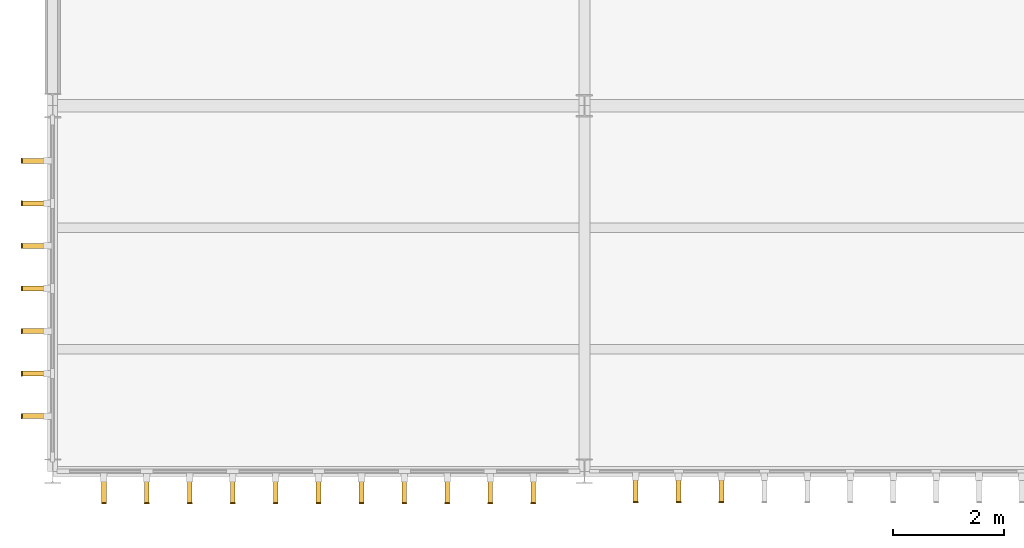
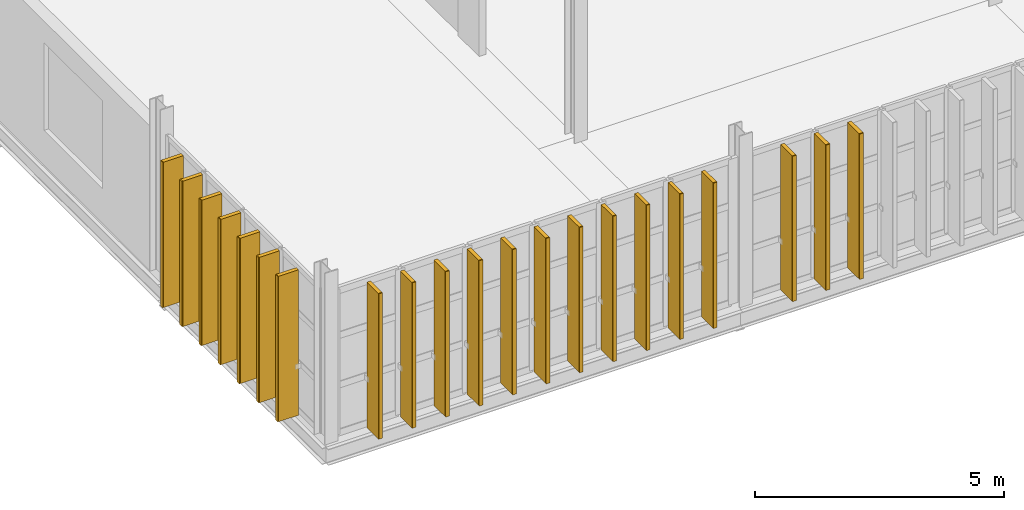
# One storey, part 24 of 38: 21 coverings, 21 shading devices.
"""IFC4 building model written with IfcOpenShell, lengths in metres."""

from ifc_helpers import new_model, si_unit, direction, frame, origin, origin_2d, place, context, subcontext, project, spatial, rectangle, extrude, material, layer, layer_set, type_object, element, save


model = new_model("IFC4")

# Units and contexts
model_context = context("Model", 3, precision=1e-05, world=origin(), true_north=direction((0.0, 1.0)))
body_context = subcontext(model_context, "Body", "Model", "MODEL_VIEW")
ifc_project = project(units=[si_unit("LENGTHUNIT", "METRE"), si_unit("AREAUNIT", "SQUARE_METRE"), si_unit("VOLUMEUNIT", "CUBIC_METRE"), si_unit("PLANEANGLEUNIT", "RADIAN"), si_unit("MASSUNIT", "GRAM", prefix="KILO")], contexts=[model_context])

# Site, building, storey
site_placement = place(None, origin())
site = spatial("IfcSite", under=ifc_project, at=site_placement, CompositionType="ELEMENT")
building_placement = place(site_placement, origin())
building = spatial("IfcBuilding", under=site, at=building_placement, Name="Zarnetskaya Central Station", CompositionType="ELEMENT")
storey_placement = place(building_placement, frame((0.0, 0.0, 18.60009765625)))
storey = spatial("IfcBuildingStorey", under=building, at=storey_placement, Name="L04", CompositionType="ELEMENT", Elevation=18.60009765625)

# Coverings
ifc_material_1 = material(Name="Treated larch timber", Category="wood")
ifc_layer = layer(ifc_material_1, 0.02001953125, Name="Treated larch timber", Category="wood")
ifc_layer_set = layer_set([ifc_layer], Name="Treated larch timber")
covering_type = type_object("IfcCoveringType", Name="COV-LARCH-CAP", PredefinedType="CLADDING", material=ifc_layer_set)
for number, where, z_axis, x_axis, name in (
    (1, (-0.56005859375, 0.99365234375, -0.000244140625), (0.0, 0.0, 1.0), (0.0, 1.0, 0.0), "Larch fin weather cap CW-L04-047-01"),
    (2, (-0.56005859375, 1.762451171875, -0.000244140625), (0.0, 0.0, 1.0), (0.0, 1.0, 0.0), "Larch fin weather cap CW-L04-047-02"),
    (3, (-0.56005859375, 2.53125, -0.000244140625), (0.0, 0.0, 1.0), (0.0, 1.0, 0.0), "Larch fin weather cap CW-L04-047-03"),
    (4, (-0.56005859375, 3.300048828125, -0.000244140625), (0.0, 0.0, 1.0), (0.0, 1.0, 0.0), "Larch fin weather cap CW-L04-047-04"),
    (5, (-0.56005859375, 4.06884765625, -0.000244140625), (0.0, 0.0, 1.0), (0.0, 1.0, 0.0), "Larch fin weather cap CW-L04-047-05"),
    (6, (-0.56005859375, 4.83740234375, -0.000244140625), (0.0, 0.0, 1.0), (0.0, 1.0, 0.0), "Larch fin weather cap CW-L04-047-06"),
    (7, (-0.56005859375, 5.606201171875, -0.000244140625), (0.0, 0.0, 1.0), (0.0, 1.0, 0.0), "Larch fin weather cap CW-L04-047-07"),
    (8, (12.074951171875, -0.56005859375, -0.000244140625), (0.0, 0.0, 1.0), (-1.0, 0.0, 0.0), "Larch fin weather cap CW-L04-061-09"),
    (9, (11.300048828125, -0.56005859375, -0.000244140625), (0.0, 0.0, 1.0), (-1.0, 0.0, 0.0), "Larch fin weather cap CW-L04-061-10"),
    (10, (10.52490234375, -0.56005859375, -0.000244140625), (0.0, 0.0, 1.0), (-1.0, 0.0, 0.0), "Larch fin weather cap CW-L04-061-11"),
):
    element("IfcCovering", number, at=place(storey_placement, frame(where, z_axis=z_axis, x_axis=x_axis)), inside=storey, type_object=covering_type, Name=name, PredefinedType="CLADDING", context=body_context, shape_type="SweptSolid", body=[
        extrude(rectangle(XDim=0.090087890625, YDim=0.02001953125, at=origin_2d()), origin(), (0.0, 0.0, 1.0), 3.56005859375),
    ])
for number, where, z_axis, x_axis, name in (
    (11, (8.675048828125, -0.580078125, -0.000244140625), (0.0, 0.0, 1.0), (-1.0, 0.0, 0.0), "Larch fin weather cap CW-L04-062-01"),
    (12, (7.89990234375, -0.580078125, -0.000244140625), (0.0, 0.0, 1.0), (-1.0, 0.0, 0.0), "Larch fin weather cap CW-L04-062-02"),
    (13, (7.125, -0.580078125, -0.000244140625), (0.0, 0.0, 1.0), (-1.0, 0.0, 0.0), "Larch fin weather cap CW-L04-062-03"),
    (14, (6.35009765625, -0.580078125, -0.000244140625), (0.0, 0.0, 1.0), (-1.0, 0.0, 0.0), "Larch fin weather cap CW-L04-062-04"),
    (15, (5.574951171875, -0.580078125, -0.000244140625), (0.0, 0.0, 1.0), (-1.0, 0.0, 0.0), "Larch fin weather cap CW-L04-062-05"),
    (16, (4.800048828125, -0.580078125, -0.000244140625), (0.0, 0.0, 1.0), (-1.0, 0.0, 0.0), "Larch fin weather cap CW-L04-062-06"),
    (17, (4.02490234375, -0.580078125, -0.000244140625), (0.0, 0.0, 1.0), (-1.0, 0.0, 0.0), "Larch fin weather cap CW-L04-062-07"),
    (18, (3.25, -0.580078125, -0.000244140625), (0.0, 0.0, 1.0), (-1.0, 0.0, 0.0), "Larch fin weather cap CW-L04-062-08"),
    (19, (2.47509765625, -0.580078125, -0.000244140625), (0.0, 0.0, 1.0), (-1.0, 0.0, 0.0), "Larch fin weather cap CW-L04-062-09"),
    (20, (1.699951171875, -0.580078125, -0.000244140625), (0.0, 0.0, 1.0), (-1.0, 0.0, 0.0), "Larch fin weather cap CW-L04-062-10"),
    (21, (0.925048828125, -0.580078125, -0.000244140625), (0.0, 0.0, 1.0), (-1.0, 0.0, 0.0), "Larch fin weather cap CW-L04-062-11"),
):
    element("IfcCovering", number, at=place(storey_placement, frame(where, z_axis=z_axis, x_axis=x_axis)), inside=storey, type_object=covering_type, Name=name, PredefinedType="CLADDING", context=body_context, shape_type="SweptSolid", body=[
        extrude(rectangle(XDim=0.0849609375, YDim=0.02001953125, at=origin_2d()), origin(), (0.0, 0.0, 1.0), 3.56005859375),
    ])

# Shading devices
ifc_material_2 = material(Name="Larch glulam GL28h", Category="wood")
shading_device_type_1 = type_object("IfcShadingDeviceType", Name="SHD-LARCH-FIN-A", PredefinedType="USERDEFINED", material=ifc_material_2)
for number, where, z_axis, x_axis, name in (
    (22, (-0.320068359375, 0.99365234375, -0.000244140625), (0.0, 0.0, 1.0), (0.0, 1.0, 0.0), "Vertical larch timber fin CW-L04-047-01"),
    (23, (-0.320068359375, 1.762451171875, -0.000244140625), (0.0, 0.0, 1.0), (0.0, 1.0, 0.0), "Vertical larch timber fin CW-L04-047-02"),
    (24, (-0.320068359375, 2.53125, -0.000244140625), (0.0, 0.0, 1.0), (0.0, 1.0, 0.0), "Vertical larch timber fin CW-L04-047-03"),
    (25, (-0.320068359375, 3.300048828125, -0.000244140625), (0.0, 0.0, 1.0), (0.0, 1.0, 0.0), "Vertical larch timber fin CW-L04-047-04"),
    (26, (-0.320068359375, 4.06884765625, -0.000244140625), (0.0, 0.0, 1.0), (0.0, 1.0, 0.0), "Vertical larch timber fin CW-L04-047-05"),
    (27, (-0.320068359375, 4.83740234375, -0.000244140625), (0.0, 0.0, 1.0), (0.0, 1.0, 0.0), "Vertical larch timber fin CW-L04-047-06"),
    (28, (-0.320068359375, 5.606201171875, -0.000244140625), (0.0, 0.0, 1.0), (0.0, 1.0, 0.0), "Vertical larch timber fin CW-L04-047-07"),
    (29, (12.074951171875, -0.320068359375, -0.000244140625), (0.0, 0.0, 1.0), (-1.0, 0.0, 0.0), "Vertical larch timber fin CW-L04-061-09"),
    (30, (11.300048828125, -0.320068359375, -0.000244140625), (0.0, 0.0, 1.0), (-1.0, 0.0, 0.0), "Vertical larch timber fin CW-L04-061-10"),
    (31, (10.52490234375, -0.320068359375, -0.000244140625), (0.0, 0.0, 1.0), (-1.0, 0.0, 0.0), "Vertical larch timber fin CW-L04-061-11"),
):
    element("IfcShadingDevice", number, at=place(storey_placement, frame(where, z_axis=z_axis, x_axis=x_axis)), inside=storey, type_object=shading_device_type_1, Name=name, ObjectType="TIMBER FIN", PredefinedType="USERDEFINED", context=body_context, shape_type="SweptSolid", body=[
        extrude(rectangle(XDim=0.090087890625, YDim=0.4599609375, at=origin_2d()), origin(), (0.0, 0.0, 1.0), 3.56005859375),
    ])
shading_device_type_2 = type_object("IfcShadingDeviceType", Name="SHD-LARCH-FIN-B", PredefinedType="USERDEFINED", material=ifc_material_2)
for number, where, z_axis, x_axis, name in (
    (32, (8.675048828125, -0.340087890625, -0.000244140625), (0.0, 0.0, 1.0), (-1.0, 0.0, 0.0), "Vertical larch timber fin CW-L04-062-01"),
    (33, (7.89990234375, -0.340087890625, -0.000244140625), (0.0, 0.0, 1.0), (-1.0, 0.0, 0.0), "Vertical larch timber fin CW-L04-062-02"),
    (34, (7.125, -0.340087890625, -0.000244140625), (0.0, 0.0, 1.0), (-1.0, 0.0, 0.0), "Vertical larch timber fin CW-L04-062-03"),
    (35, (6.35009765625, -0.340087890625, -0.000244140625), (0.0, 0.0, 1.0), (-1.0, 0.0, 0.0), "Vertical larch timber fin CW-L04-062-04"),
    (36, (5.574951171875, -0.340087890625, -0.000244140625), (0.0, 0.0, 1.0), (-1.0, 0.0, 0.0), "Vertical larch timber fin CW-L04-062-05"),
    (37, (4.800048828125, -0.340087890625, -0.000244140625), (0.0, 0.0, 1.0), (-1.0, 0.0, 0.0), "Vertical larch timber fin CW-L04-062-06"),
    (38, (4.02490234375, -0.340087890625, -0.000244140625), (0.0, 0.0, 1.0), (-1.0, 0.0, 0.0), "Vertical larch timber fin CW-L04-062-07"),
    (39, (3.25, -0.340087890625, -0.000244140625), (0.0, 0.0, 1.0), (-1.0, 0.0, 0.0), "Vertical larch timber fin CW-L04-062-08"),
    (40, (2.47509765625, -0.340087890625, -0.000244140625), (0.0, 0.0, 1.0), (-1.0, 0.0, 0.0), "Vertical larch timber fin CW-L04-062-09"),
    (41, (1.699951171875, -0.340087890625, -0.000244140625), (0.0, 0.0, 1.0), (-1.0, 0.0, 0.0), "Vertical larch timber fin CW-L04-062-10"),
    (42, (0.925048828125, -0.340087890625, -0.000244140625), (0.0, 0.0, 1.0), (-1.0, 0.0, 0.0), "Vertical larch timber fin CW-L04-062-11"),
):
    element("IfcShadingDevice", number, at=place(storey_placement, frame(where, z_axis=z_axis, x_axis=x_axis)), inside=storey, type_object=shading_device_type_2, Name=name, ObjectType="TIMBER FIN", PredefinedType="USERDEFINED", context=body_context, shape_type="SweptSolid", body=[
        extrude(rectangle(XDim=0.0849609375, YDim=0.4599609375, at=origin_2d()), origin(), (0.0, 0.0, 1.0), 3.56005859375),
    ])

save(model, "model.ifc")
